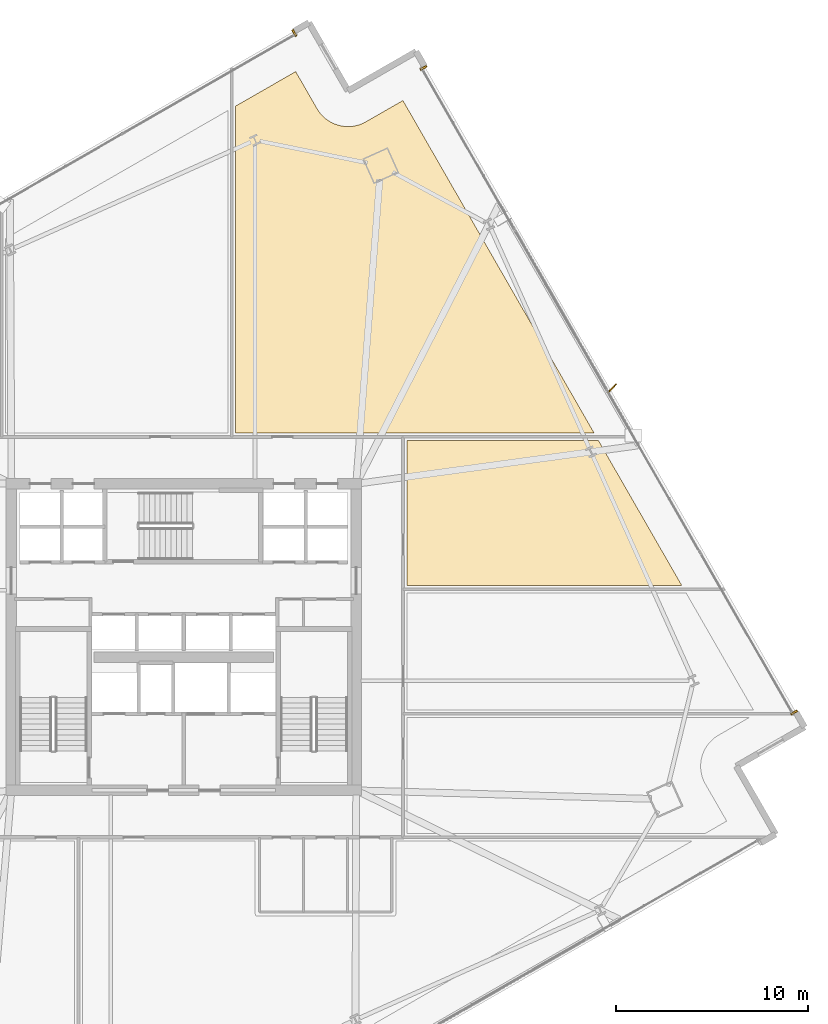
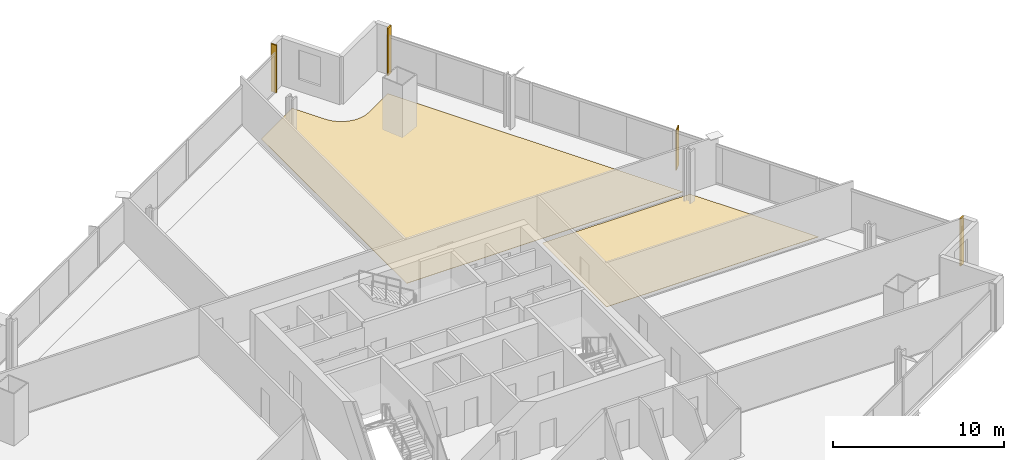
# One storey, part 33 of 33: 5 coverings, 1 shading device.
"""IFC4 building model written with IfcOpenShell, lengths in metres."""

from ifc_helpers import new_model, si_unit, direction, frame, origin, origin_2d, place, context, subcontext, project, spatial, polyline, rectangle, outline, extrude, source, transform, mapped, material, layer, layer_set, type_object, element, save


model = new_model("IFC4")

# Units and contexts
model_context = context("Model", 3, precision=1e-05, world=origin(), true_north=direction((0.0, 1.0)))
body_context = subcontext(model_context, "Body", "Model", "MODEL_VIEW")
ifc_project = project(units=[si_unit("LENGTHUNIT", "METRE"), si_unit("AREAUNIT", "SQUARE_METRE"), si_unit("VOLUMEUNIT", "CUBIC_METRE"), si_unit("PLANEANGLEUNIT", "RADIAN"), si_unit("MASSUNIT", "GRAM", prefix="KILO")], contexts=[model_context])

# Site, building, storey
site_placement = place(None, origin())
site = spatial("IfcSite", under=ifc_project, at=site_placement, CompositionType="ELEMENT")
building_placement = place(site_placement, origin())
building = spatial("IfcBuilding", under=site, at=building_placement, Name="Haldenkirk Collegiate Tower", CompositionType="ELEMENT")
storey_placement = place(building_placement, frame((0.0, 0.0, 127.949951171875)))
storey = spatial("IfcBuildingStorey", under=building, at=storey_placement, Name="L31", CompositionType="ELEMENT", Elevation=127.949951171875)

# Coverings
ifc_material_1 = material(Name="Engineered collegiate oak acoustic flooring", Category="wood")
ifc_layer_1 = layer(ifc_material_1, 0.02197265625)
ifc_layer_set_1 = layer_set([ifc_layer_1], Name="Engineered collegiate oak acoustic flooring")
covering_type_1 = type_object("IfcCoveringType", Name="COV-FLOOR-TIMBER", PredefinedType="FLOORING", material=ifc_layer_set_1)
covering_1_placement = place(storey_placement, origin())
element("IfcCovering", 1, at=covering_1_placement, inside=storey, type_object=covering_type_1, Name="L31 academic room finish 07", PredefinedType="FLOORING", context=body_context, shape_type="SweptSolid", body=[
    extrude(outline(polyline([(42.953125, 53.588134765625), (42.9560546875, 53.583251953125), (43.048828125, 53.438720703125), (43.055908203125, 53.42919921875), (43.162353515625, 53.294189453125), (43.170166015625, 53.285400390625), (43.289306640625, 53.161865234375), (43.2978515625, 53.15380859375), (43.4287109375, 53.04248046875), (43.43798828125, 53.03515625), (43.5791015625, 52.937255859375), (43.589111328125, 52.930908203125), (43.739013671875, 52.847412109375), (43.74951171875, 52.842041015625), (43.906982421875, 52.7734375), (43.91796875, 52.769287109375), (44.081298828125, 52.716552734375), (44.0927734375, 52.71337890625), (44.260498046875, 52.677001953125), (44.272216796875, 52.675048828125), (44.442626953125, 52.655029296875), (44.45458984375, 52.654296875), (44.626220703125, 52.651123046875), (44.637939453125, 52.651611328125), (44.80908203125, 52.665283203125), (44.82080078125, 52.666748046875), (44.98974609375, 52.697265625), (45.00146484375, 52.699951171875), (45.16650390625, 52.746826171875), (45.177734375, 52.75048828125), (45.33740234375, 52.813232421875), (45.34814453125, 52.818115234375), (45.501220703125, 52.896484375), (45.50634765625, 52.899169921875), (47.439697265625, 54.010986328125), (57.422607421875, 36.64990234375), (38.699951171875, 36.64990234375), (38.699951171875, 53.71484375), (41.841552734375, 55.521484375), (42.953125, 53.588134765625)])), origin(), (0.0, 0.0, 1.0), 0.02197265625),
])
covering_2_placement = place(storey_placement, origin())
element("IfcCovering", 2, at=covering_2_placement, inside=storey, type_object=covering_type_1, Name="L31 academic room finish 11", PredefinedType="FLOORING", context=body_context, shape_type="SweptSolid", body=[
    extrude(outline(polyline([(61.993896484375, 28.699951171875), (47.64990234375, 28.699951171875), (47.64990234375, 36.25), (57.652587890625, 36.25), (61.993896484375, 28.699951171875)])), origin(), (0.0, 0.0, 1.0), 0.02197265625),
])
ifc_material_2 = material(Name="Anodised architectural bronze aluminium", Category="aluminium")
ifc_layer_2 = layer(ifc_material_2, 0.06005859375)
ifc_layer_set_2 = layer_set([ifc_layer_2], Name="Anodised architectural bronze aluminium")
covering_type_2 = type_object("IfcCoveringType", Name="COV-CLAD-BRONZE-60", PredefinedType="CLADDING", material=ifc_layer_set_2)
shared_shape_1 = source(origin(), body_context, "Body", "SweptSolid", [
    extrude(rectangle(XDim=0.10009765625, YDim=0.3798828125, at=origin_2d()), origin(), (0.0, 0.0, 1.0), 3.39990234375),
])
for number, where, z_axis, x_axis, name in (
    (3, (48.513916015625, 55.712890625, 0.0), (0.0, 0.0, 1.0), (0.498487739754, -0.866896748936, 0.0), "L31 recessed curtain-wall bronze jamb closure EJL"),
    (4, (67.86279296875, 22.064453125, 0.0), (0.0, 0.0, 1.0), (0.498487739754, -0.866896748936, 0.0), "L31 recessed curtain-wall bronze jamb closure EJR"),
    (5, (41.76904296875, 57.532958984375, 0.0), (0.0, 0.0, 1.0), (0.866896748936, 0.498487739754, 0.0), "L31 recessed curtain-wall bronze jamb closure NJR"),
):
    element("IfcCovering", number, at=place(storey_placement, frame(where, z_axis=z_axis, x_axis=x_axis)), inside=storey, type_object=covering_type_2, Name=name, PredefinedType="CLADDING", context=body_context, shape_type="MappedRepresentation", body=[
        mapped(shared_shape_1, transform((0.0, 0.0, 0.0), x_axis=(1.0, 0.0, 0.0), y_axis=(0.0, 1.0, 0.0), z_axis=(0.0, 0.0, 1.0), scale=1.0)),
    ])

# Shading device
ifc_layer_3 = layer(ifc_material_2, 0.06494140625)
ifc_layer_set_3 = layer_set([ifc_layer_3], Name="Anodised architectural bronze aluminium")
shading_device_type = type_object("IfcShadingDeviceType", Name="SHD-FIN-BRONZE-620", PredefinedType="USERDEFINED", material=ifc_layer_set_3)
shared_shape_2 = source(origin(), body_context, "Body", "SweptSolid", [
    extrude(rectangle(XDim=0.6201171875, YDim=0.06494140625, at=origin_2d()), origin(), (0.0, 0.0, 1.0), 2.85107421875),
])
shading_device_placement = place(storey_placement, frame((58.3662109375, 38.990966796875, 0.0), z_axis=(0.0, 0.0, 1.0), x_axis=(0.695912796592, 0.718126297763, 0.0)))
element("IfcShadingDevice", 6, at=shading_device_placement, inside=storey, type_object=shading_device_type, Name="L31 folded bronze solar fin 1", ObjectType="FIN", PredefinedType="USERDEFINED", context=body_context, shape_type="MappedRepresentation", body=[
    mapped(shared_shape_2, transform((0.0, 0.0, 0.0), x_axis=(1.0, 0.0, 0.0), y_axis=(0.0, 1.0, 0.0), z_axis=(0.0, 0.0, 1.0), scale=1.0)),
])

save(model, "model.ifc")
